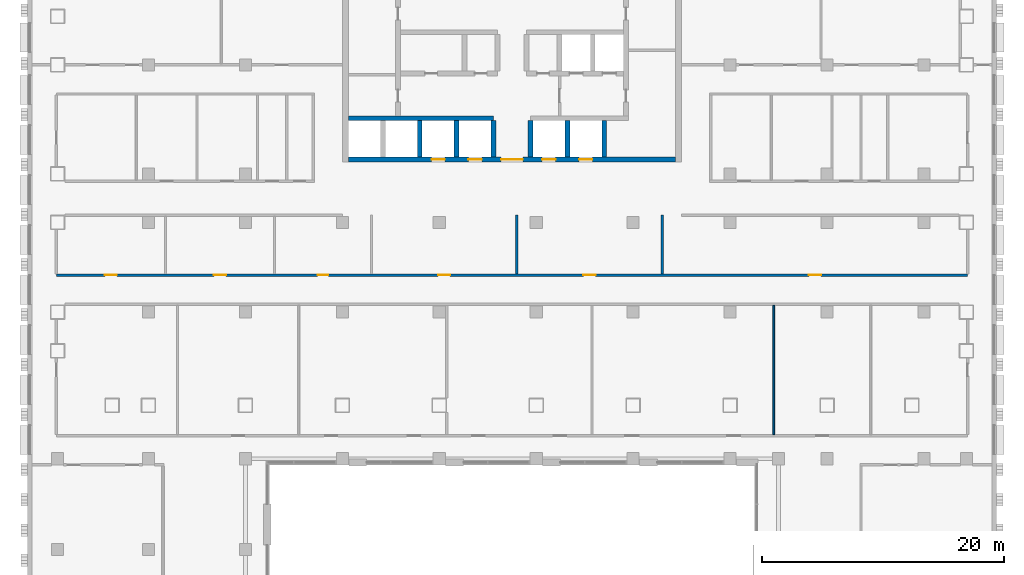
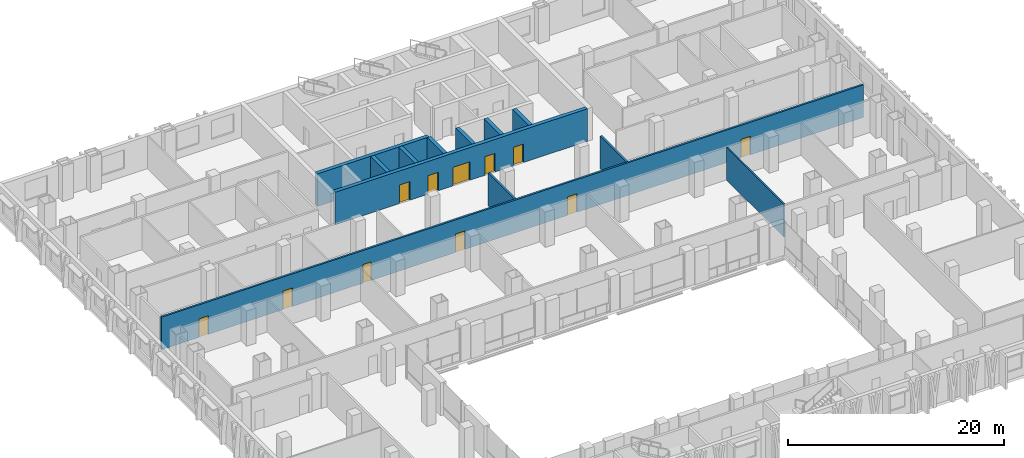
# One storey, part 13 of 26: 12 walls, 11 doors, 11 openings.
"""IFC4 building model written with IfcOpenShell, lengths in metres."""

from ifc_helpers import new_model, si_unit, direction, frame, frame_2d, origin, place, context, subcontext, project, spatial, rectangle, extrude, material, layer, layer_set, type_object, element, fill, save


model = new_model("IFC4")

# Units and contexts
model_context = context("Model", 3, precision=1e-05, world=origin(), true_north=direction((0.0, 1.0)))
body_context = subcontext(model_context, "Body", "Model", "MODEL_VIEW")
ifc_project = project(units=[si_unit("LENGTHUNIT", "METRE"), si_unit("AREAUNIT", "SQUARE_METRE"), si_unit("VOLUMEUNIT", "CUBIC_METRE"), si_unit("PLANEANGLEUNIT", "RADIAN"), si_unit("MASSUNIT", "GRAM", prefix="KILO")], contexts=[model_context])

# Site, building, storey
site_placement = place(None, origin())
site = spatial("IfcSite", under=ifc_project, at=site_placement, CompositionType="ELEMENT")
building_placement = place(site_placement, origin())
building = spatial("IfcBuilding", under=site, at=building_placement, Name="Vidyagriha Tower", CompositionType="ELEMENT")
storey_placement = place(building_placement, frame((0.0, 0.0, 6.0)))
storey = spatial("IfcBuildingStorey", under=building, at=storey_placement, Name="L01", CompositionType="ELEMENT", Elevation=6.0)

# Wall, openings, doors
ifc_material_1 = material(Name="Concrete C60/75", Category="concrete")
ifc_layer_1 = layer(ifc_material_1, 0.39990234375)
ifc_layer_set_1 = layer_set([ifc_layer_1], Name="Concrete C60/75")
wall_type_1 = type_object("IfcWallType", Name="Core shear wall 400 mm", PredefinedType="SHEAR", material=ifc_layer_set_1)
wall_1_placement = place(storey_placement, frame((-13.5, 3.199951171875, 0.0)))
wall_1 = element("IfcWall", 1, at=wall_1_placement, inside=storey, type_object=wall_type_1, Name="Core front wall", PredefinedType="SHEAR", context=body_context, shape_type="SweptSolid", body=[
    extrude(rectangle(XDim=27.0, YDim=0.39990234375, at=frame_2d((13.5, 0.0))), origin(), (0.0, 0.0, 1.0), 3.699951171875),
])
opening_1_placement = place(wall_1_placement, frame((6.861083984375, 0.0, 0.0)))
opening_1 = element("IfcOpeningElement", 2, at=opening_1_placement, cuts=wall_1, Name="Opening LD01-01", PredefinedType="OPENING", context=body_context, shape_type="SweptSolid", body=[
    extrude(rectangle(XDim=1.10009765625, YDim=2.10009765625, at=frame_2d((0.550048828125, 1.050048828125))), frame((0.0, 0.2099609375, 0.0), z_axis=(0.0, -1.0, 0.0), x_axis=(1.0, 0.0, 0.0)), (0.0, 0.0, 1.0), 0.419921875),
])
opening_2_placement = place(wall_1_placement, frame((9.905517578125, 0.0, 0.0)))
opening_2 = element("IfcOpeningElement", 3, at=opening_2_placement, cuts=wall_1, Name="Opening LD01-02", PredefinedType="OPENING", context=body_context, shape_type="SweptSolid", body=[
    extrude(rectangle(XDim=1.10009765625, YDim=2.10009765625, at=frame_2d((0.550048828125, 1.050048828125))), frame((0.0, 0.2099609375, 0.0), z_axis=(0.0, -1.0, 0.0), x_axis=(1.0, 0.0, 0.0)), (0.0, 0.0, 1.0), 0.419921875),
])
opening_3_placement = place(wall_1_placement, frame((15.994384765625, 0.0, 0.0)))
opening_3 = element("IfcOpeningElement", 4, at=opening_3_placement, cuts=wall_1, Name="Opening LD01-03", PredefinedType="OPENING", context=body_context, shape_type="SweptSolid", body=[
    extrude(rectangle(XDim=1.10009765625, YDim=2.10009765625, at=frame_2d((0.550048828125, 1.050048828125))), frame((0.0, 0.2099609375, 0.0), z_axis=(0.0, -1.0, 0.0), x_axis=(1.0, 0.0, 0.0)), (0.0, 0.0, 1.0), 0.419921875),
])
opening_4_placement = place(wall_1_placement, frame((19.038818359375, 0.0, 0.0)))
opening_4 = element("IfcOpeningElement", 5, at=opening_4_placement, cuts=wall_1, Name="Opening LD01-04", PredefinedType="OPENING", context=body_context, shape_type="SweptSolid", body=[
    extrude(rectangle(XDim=1.10009765625, YDim=2.10009765625, at=frame_2d((0.550048828125, 1.050048828125))), frame((0.0, 0.2099609375, 0.0), z_axis=(0.0, -1.0, 0.0), x_axis=(1.0, 0.0, 0.0)), (0.0, 0.0, 1.0), 0.419921875),
])
opening_5_placement = place(wall_1_placement, frame((12.60009765625, 0.0, 0.0)))
opening_5 = element("IfcOpeningElement", 6, at=opening_5_placement, cuts=wall_1, Name="Opening D01-01", PredefinedType="OPENING", context=body_context, shape_type="SweptSolid", body=[
    extrude(rectangle(XDim=1.800048828125, YDim=2.10009765625, at=frame_2d((0.89990234375, 1.050048828125))), frame((0.0, 0.2099609375, 0.0), z_axis=(0.0, -1.0, 0.0), x_axis=(1.0, 0.0, 0.0)), (0.0, 0.0, 1.0), 0.419921875),
])
ifc_material_2 = material(Name="Hollow metal door leaf")
door_type_1 = type_object("IfcDoorType", Name="Core lobby double door 1800 x 2100 mm EI 60", OperationType="NOTDEFINED", PredefinedType="DOOR", material=ifc_material_2)
door_1_placement = place(opening_5_placement, frame((1.800048828125, 0.0, 0.0), z_axis=(0.0, 0.0, 1.0), x_axis=(-1.0, 0.0, 0.0)))
door_1 = element("IfcDoor", 7, at=door_1_placement, inside=storey, type_object=door_type_1, Name="Core entrance door L01", OperationType="DOUBLE_DOOR_SINGLE_SWING", OverallHeight=2.10009765625, OverallWidth=1.800048828125, PredefinedType="DOOR", context=body_context, shape_type="SweptSolid", body=[
    extrude(rectangle(XDim=1.800048828125, YDim=2.10009765625, at=frame_2d((0.89990234375, 1.050048828125))), frame((0.0, 0.02490234375, 0.0), z_axis=(0.0, -1.0, 0.0), x_axis=(1.0, 0.0, 0.0)), (0.0, 0.0, 1.0), 0.050048828125),
])
fill(opening_5, door_1)
ifc_material_3 = material(Name="Stainless steel sliding door panel", Category="steel")
door_type_2 = type_object("IfcDoorType", Name="Lift landing door 1100 x 2100 mm EI 90", OperationType="NOTDEFINED", PredefinedType="DOOR", material=ifc_material_3)
door_2_placement = place(opening_1_placement, origin())
door_2 = element("IfcDoor", 8, at=door_2_placement, inside=storey, type_object=door_type_2, Name="Landing door LR1 L01", OperationType="SLIDING_TO_LEFT", OverallHeight=2.10009765625, OverallWidth=1.10009765625, PredefinedType="DOOR", context=body_context, shape_type="SweptSolid", body=[
    extrude(rectangle(XDim=1.10009765625, YDim=2.10009765625, at=frame_2d((0.550048828125, 1.050048828125))), frame((0.0, 0.02490234375, 0.0), z_axis=(0.0, -1.0, 0.0), x_axis=(1.0, 0.0, 0.0)), (0.0, 0.0, 1.0), 0.050048828125),
])
fill(opening_1, door_2)
door_3_placement = place(opening_2_placement, origin())
door_3 = element("IfcDoor", 9, at=door_3_placement, inside=storey, type_object=door_type_2, Name="Landing door LR2 L01", OperationType="SLIDING_TO_LEFT", OverallHeight=2.10009765625, OverallWidth=1.10009765625, PredefinedType="DOOR", context=body_context, shape_type="SweptSolid", body=[
    extrude(rectangle(XDim=1.10009765625, YDim=2.10009765625, at=frame_2d((0.550048828125, 1.050048828125))), frame((0.0, 0.02490234375, 0.0), z_axis=(0.0, -1.0, 0.0), x_axis=(1.0, 0.0, 0.0)), (0.0, 0.0, 1.0), 0.050048828125),
])
fill(opening_2, door_3)
door_4_placement = place(opening_3_placement, origin())
door_4 = element("IfcDoor", 10, at=door_4_placement, inside=storey, type_object=door_type_2, Name="Landing door LR3 L01", OperationType="SLIDING_TO_LEFT", OverallHeight=2.10009765625, OverallWidth=1.10009765625, PredefinedType="DOOR", context=body_context, shape_type="SweptSolid", body=[
    extrude(rectangle(XDim=1.10009765625, YDim=2.10009765625, at=frame_2d((0.550048828125, 1.050048828125))), frame((0.0, 0.02490234375, 0.0), z_axis=(0.0, -1.0, 0.0), x_axis=(1.0, 0.0, 0.0)), (0.0, 0.0, 1.0), 0.050048828125),
])
fill(opening_3, door_4)
door_5_placement = place(opening_4_placement, origin())
door_5 = element("IfcDoor", 11, at=door_5_placement, inside=storey, type_object=door_type_2, Name="Landing door LR4 L01", OperationType="SLIDING_TO_LEFT", OverallHeight=2.10009765625, OverallWidth=1.10009765625, PredefinedType="DOOR", context=body_context, shape_type="SweptSolid", body=[
    extrude(rectangle(XDim=1.10009765625, YDim=2.10009765625, at=frame_2d((0.550048828125, 1.050048828125))), frame((0.0, 0.02490234375, 0.0), z_axis=(0.0, -1.0, 0.0), x_axis=(1.0, 0.0, 0.0)), (0.0, 0.0, 1.0), 0.050048828125),
])
fill(opening_4, door_5)

# Walls
wall_2_placement = place(storey_placement, frame((-13.5, 6.60009765625, 0.0)))
element("IfcWall", 12, at=wall_2_placement, inside=storey, type_object=wall_type_1, Name="Core lobby south wall west", PredefinedType="SHEAR", context=body_context, shape_type="SweptSolid", body=[
    extrude(rectangle(XDim=11.977783203125, YDim=0.39990234375, at=frame_2d((5.98876953125, 0.0))), origin(), (0.0, 0.0, 1.0), 3.699951171875),
])
for number, where, z_axis, x_axis, name in (
    (13, (-7.611083984375, 3.39990234375, 0.0), (0.0, 0.0, 1.0), (0.0, 1.0, 0.0), "Core bay wall S2"),
    (14, (-4.566650390625, 3.39990234375, 0.0), (0.0, 0.0, 1.0), (0.0, 1.0, 0.0), "Core bay wall S3"),
    (15, (-1.522216796875, 3.39990234375, 0.0), (0.0, 0.0, 1.0), (0.0, 1.0, 0.0), "Core bay wall S4"),
    (16, (1.522216796875, 3.39990234375, 0.0), (0.0, 0.0, 1.0), (0.0, 1.0, 0.0), "Core bay wall S5"),
    (17, (4.566650390625, 3.39990234375, 0.0), (0.0, 0.0, 1.0), (0.0, 1.0, 0.0), "Core bay wall S6"),
    (18, (7.611083984375, 3.39990234375, 0.0), (0.0, 0.0, 1.0), (0.0, 1.0, 0.0), "Core bay wall S7"),
):
    element("IfcWall", number, at=place(storey_placement, frame(where, z_axis=z_axis, x_axis=x_axis)), inside=storey, type_object=wall_type_1, Name=name, PredefinedType="SHEAR", context=body_context, shape_type="SweptSolid", body=[
        extrude(rectangle(XDim=3.0, YDim=0.39990234375, at=frame_2d((1.5, 0.0))), origin(), (0.0, 0.0, 1.0), 3.699951171875),
    ])

# Wall, openings, doors
ifc_material_4 = material(Name="Fire rated gypsum board on light gauge framing")
ifc_layer_2 = layer(ifc_material_4, 0.199951171875)
ifc_layer_set_2 = layer_set([ifc_layer_2], Name="Fire rated gypsum board on light gauge framing")
wall_type_2 = type_object("IfcWallType", Name="Fire Rated Corridor Wall 200", PredefinedType="PARTITIONING", material=ifc_layer_set_2)
wall_3_placement = place(storey_placement, frame((-37.599853515625, -6.35009765625, 0.0)))
wall_3 = element("IfcWall", 19, at=wall_3_placement, inside=storey, type_object=wall_type_2, Name="L01 Fire Rated Corridor Wall 200 023", PredefinedType="PARTITIONING", context=body_context, shape_type="SweptSolid", body=[
    extrude(rectangle(XDim=75.19970703125, YDim=0.199951171875, at=frame_2d((37.599853515625, 0.0))), origin(), (0.0, 0.0, 1.0), 3.699951171875),
])
opening_6_placement = place(wall_3_placement, frame((4.0, 0.0, 0.0)))
opening_6 = element("IfcOpeningElement", 20, at=opening_6_placement, cuts=wall_3, Name="Opening D01-36", PredefinedType="OPENING", context=body_context, shape_type="SweptSolid", body=[
    extrude(rectangle(XDim=1.0, YDim=2.10009765625, at=frame_2d((0.5, 1.050048828125))), frame((0.0, 0.10986328125, 0.0), z_axis=(0.0, -1.0, 0.0), x_axis=(1.0, 0.0, 0.0)), (0.0, 0.0, 1.0), 0.219970703125),
])
opening_7_placement = place(wall_3_placement, frame((13.0, 0.0, 0.0)))
opening_7 = element("IfcOpeningElement", 21, at=opening_7_placement, cuts=wall_3, Name="Opening D01-37", PredefinedType="OPENING", context=body_context, shape_type="SweptSolid", body=[
    extrude(rectangle(XDim=1.0, YDim=2.10009765625, at=frame_2d((0.5, 1.050048828125))), frame((0.0, 0.10986328125, 0.0), z_axis=(0.0, -1.0, 0.0), x_axis=(1.0, 0.0, 0.0)), (0.0, 0.0, 1.0), 0.219970703125),
])
opening_8_placement = place(wall_3_placement, frame((21.5498046875, 0.0, 0.0)))
opening_8 = element("IfcOpeningElement", 22, at=opening_8_placement, cuts=wall_3, Name="Opening D01-38", PredefinedType="OPENING", context=body_context, shape_type="SweptSolid", body=[
    extrude(rectangle(XDim=0.89990234375, YDim=2.10009765625, at=frame_2d((0.449951171875, 1.050048828125))), frame((0.0, 0.10986328125, 0.0), z_axis=(0.0, -1.0, 0.0), x_axis=(1.0, 0.0, 0.0)), (0.0, 0.0, 1.0), 0.219970703125),
])
opening_9_placement = place(wall_3_placement, frame((31.5, 0.0, 0.0)))
opening_9 = element("IfcOpeningElement", 23, at=opening_9_placement, cuts=wall_3, Name="Opening D01-39", PredefinedType="OPENING", context=body_context, shape_type="SweptSolid", body=[
    extrude(rectangle(XDim=1.0, YDim=2.10009765625, at=frame_2d((0.5, 1.050048828125))), frame((0.0, 0.10986328125, 0.0), z_axis=(0.0, -1.0, 0.0), x_axis=(1.0, 0.0, 0.0)), (0.0, 0.0, 1.0), 0.219970703125),
])
opening_10_placement = place(wall_3_placement, frame((43.5, 0.0, 0.0)))
opening_10 = element("IfcOpeningElement", 24, at=opening_10_placement, cuts=wall_3, Name="Opening D01-40", PredefinedType="OPENING", context=body_context, shape_type="SweptSolid", body=[
    extrude(rectangle(XDim=1.0, YDim=2.10009765625, at=frame_2d((0.5, 1.050048828125))), frame((0.0, 0.10986328125, 0.0), z_axis=(0.0, -1.0, 0.0), x_axis=(1.0, 0.0, 0.0)), (0.0, 0.0, 1.0), 0.219970703125),
])
opening_11_placement = place(wall_3_placement, frame((62.099853515625, 0.0, 0.0)))
opening_11 = element("IfcOpeningElement", 25, at=opening_11_placement, cuts=wall_3, Name="Opening D01-41", PredefinedType="OPENING", context=body_context, shape_type="SweptSolid", body=[
    extrude(rectangle(XDim=1.0, YDim=2.10009765625, at=frame_2d((0.5, 1.050048828125))), frame((0.0, 0.10986328125, 0.0), z_axis=(0.0, -1.0, 0.0), x_axis=(1.0, 0.0, 0.0)), (0.0, 0.0, 1.0), 0.219970703125),
])
ifc_material_5 = material(Name="Steel fire door set", Category="steel")
door_type_3 = type_object("IfcDoorType", Name="Podium Door 1000x2100 EI 30", OperationType="NOTDEFINED", PredefinedType="DOOR", material=ifc_material_5)
door_6_placement = place(opening_6_placement, origin())
door_6 = element("IfcDoor", 26, at=door_6_placement, inside=storey, type_object=door_type_3, Name="L01 door D01-36", OperationType="SINGLE_SWING_LEFT", OverallHeight=2.10009765625, OverallWidth=1.0, PredefinedType="DOOR", context=body_context, shape_type="SweptSolid", body=[
    extrude(rectangle(XDim=1.0, YDim=2.10009765625, at=frame_2d((0.5, 1.050048828125))), frame((0.0, 0.02490234375, 0.0), z_axis=(0.0, -1.0, 0.0), x_axis=(1.0, 0.0, 0.0)), (0.0, 0.0, 1.0), 0.050048828125),
])
fill(opening_6, door_6)
door_7_placement = place(opening_7_placement, origin())
door_7 = element("IfcDoor", 27, at=door_7_placement, inside=storey, type_object=door_type_3, Name="L01 door D01-37", OperationType="SINGLE_SWING_LEFT", OverallHeight=2.10009765625, OverallWidth=1.0, PredefinedType="DOOR", context=body_context, shape_type="SweptSolid", body=[
    extrude(rectangle(XDim=1.0, YDim=2.10009765625, at=frame_2d((0.5, 1.050048828125))), frame((0.0, 0.02490234375, 0.0), z_axis=(0.0, -1.0, 0.0), x_axis=(1.0, 0.0, 0.0)), (0.0, 0.0, 1.0), 0.050048828125),
])
fill(opening_7, door_7)
door_8_placement = place(opening_9_placement, origin())
door_8 = element("IfcDoor", 28, at=door_8_placement, inside=storey, type_object=door_type_3, Name="L01 door D01-39", OperationType="SINGLE_SWING_LEFT", OverallHeight=2.10009765625, OverallWidth=1.0, PredefinedType="DOOR", context=body_context, shape_type="SweptSolid", body=[
    extrude(rectangle(XDim=1.0, YDim=2.10009765625, at=frame_2d((0.5, 1.050048828125))), frame((0.0, 0.02490234375, 0.0), z_axis=(0.0, -1.0, 0.0), x_axis=(1.0, 0.0, 0.0)), (0.0, 0.0, 1.0), 0.050048828125),
])
fill(opening_9, door_8)
door_9_placement = place(opening_10_placement, origin())
door_9 = element("IfcDoor", 29, at=door_9_placement, inside=storey, type_object=door_type_3, Name="L01 door D01-40", OperationType="SINGLE_SWING_RIGHT", OverallHeight=2.10009765625, OverallWidth=1.0, PredefinedType="DOOR", context=body_context, shape_type="SweptSolid", body=[
    extrude(rectangle(XDim=1.0, YDim=2.10009765625, at=frame_2d((0.5, 1.050048828125))), frame((0.0, 0.02490234375, 0.0), z_axis=(0.0, -1.0, 0.0), x_axis=(1.0, 0.0, 0.0)), (0.0, 0.0, 1.0), 0.050048828125),
])
fill(opening_10, door_9)
door_10_placement = place(opening_11_placement, origin())
door_10 = element("IfcDoor", 30, at=door_10_placement, inside=storey, type_object=door_type_3, Name="L01 door D01-41", OperationType="SINGLE_SWING_RIGHT", OverallHeight=2.10009765625, OverallWidth=1.0, PredefinedType="DOOR", context=body_context, shape_type="SweptSolid", body=[
    extrude(rectangle(XDim=1.0, YDim=2.10009765625, at=frame_2d((0.5, 1.050048828125))), frame((0.0, 0.02490234375, 0.0), z_axis=(0.0, -1.0, 0.0), x_axis=(1.0, 0.0, 0.0)), (0.0, 0.0, 1.0), 0.050048828125),
])
fill(opening_11, door_10)
ifc_material_6 = material(Name="Steel fire door set", Category="steel")
door_type_4 = type_object("IfcDoorType", Name="Podium Door 900x2100 EI 30", OperationType="NOTDEFINED", PredefinedType="DOOR", material=ifc_material_6)
door_11_placement = place(opening_8_placement, origin())
door_11 = element("IfcDoor", 31, at=door_11_placement, inside=storey, type_object=door_type_4, Name="L01 door D01-38", OperationType="SINGLE_SWING_LEFT", OverallHeight=2.10009765625, OverallWidth=0.89990234375, PredefinedType="DOOR", context=body_context, shape_type="SweptSolid", body=[
    extrude(rectangle(XDim=0.89990234375, YDim=2.10009765625, at=frame_2d((0.449951171875, 1.050048828125))), frame((0.0, 0.02490234375, 0.0), z_axis=(0.0, -1.0, 0.0), x_axis=(1.0, 0.0, 0.0)), (0.0, 0.0, 1.0), 0.050048828125),
])
fill(opening_8, door_11)

# Walls
for number, where, z_axis, x_axis, name in (
    (32, (0.39990234375, -6.25, 0.0), (0.0, 0.0, 1.0), (0.0, 1.0, 0.0), "L01 Fire Rated Corridor Wall 200 061"),
    (33, (12.39990234375, -6.25, 0.0), (0.0, 0.0, 1.0), (0.0, 1.0, 0.0), "L01 Fire Rated Corridor Wall 200 065"),
):
    element("IfcWall", number, at=place(storey_placement, frame(where, z_axis=z_axis, x_axis=x_axis)), inside=storey, type_object=wall_type_2, Name=name, PredefinedType="PARTITIONING", context=body_context, shape_type="SweptSolid", body=[
        extrude(rectangle(XDim=4.849853515625, YDim=0.199951171875, at=frame_2d((2.4248046875, 0.0))), origin(), (0.0, 0.0, 1.0), 3.699951171875),
    ])
ifc_material_7 = material(Name="Gypsum board on light gauge framing")
ifc_layer_3 = layer(ifc_material_7, 0.14990234375)
ifc_layer_set_3 = layer_set([ifc_layer_3], Name="Gypsum board on light gauge framing")
wall_type_3 = type_object("IfcWallType", Name="Gypsum Board Partition 150", PredefinedType="PARTITIONING", material=ifc_layer_set_3)
wall_4_placement = place(storey_placement, frame((21.60009765625, -19.5, 0.0), z_axis=(0.0, 0.0, 1.0), x_axis=(0.0, 1.0, 0.0)))
element("IfcWall", 34, at=wall_4_placement, inside=storey, type_object=wall_type_3, Name="L01 Gypsum Board Partition 150 069", PredefinedType="PARTITIONING", context=body_context, shape_type="SweptSolid", body=[
    extrude(rectangle(XDim=10.64990234375, YDim=0.14990234375, at=frame_2d((5.324951171875, 0.0))), origin(), (0.0, 0.0, 1.0), 3.699951171875),
])

save(model, "model.ifc")
